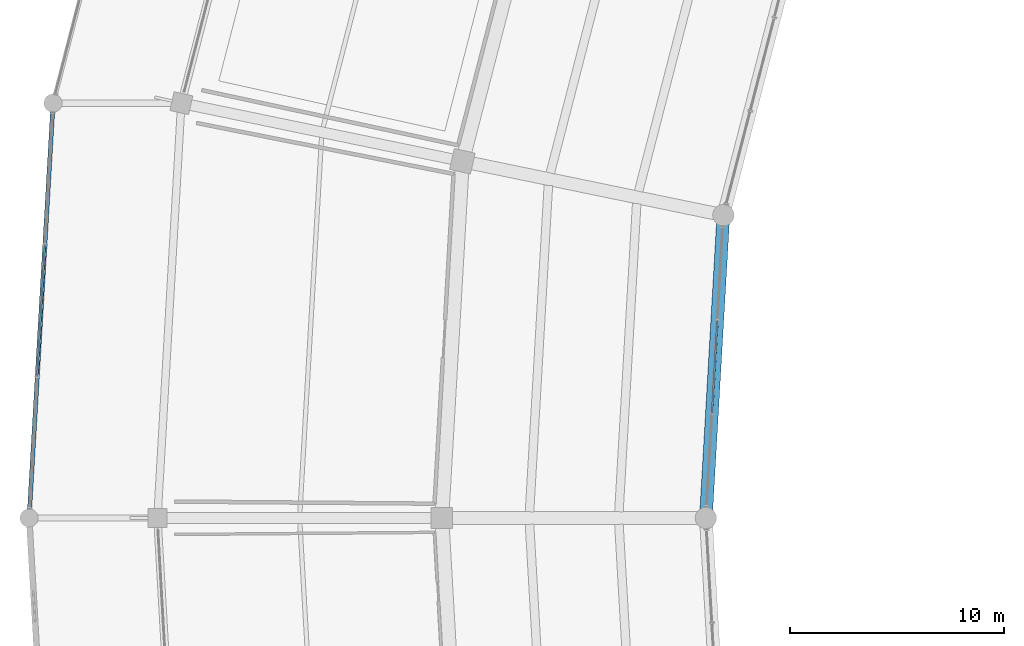
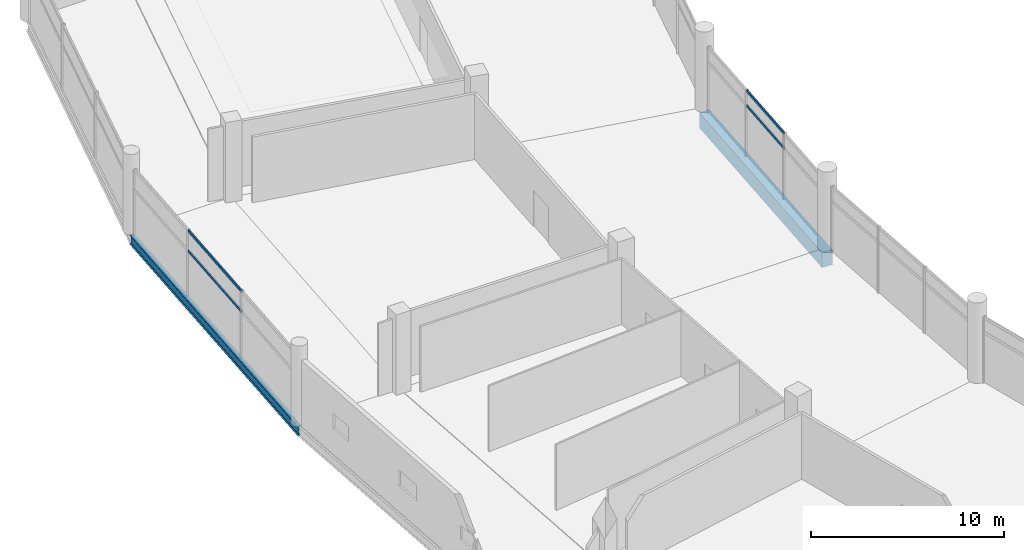
# One storey, part 45 of 184: 4 members, 2 beams, 2 elements without a shape of their own.
"""IFC4 building model written with IfcOpenShell, lengths in metres."""

from ifc_helpers import new_model, si_unit, direction, frame, origin, origin_2d, place, context, subcontext, project, spatial, rectangle, hollow_rectangle, i_section, extrude, material, layer, layer_set, material_profile, profile_set, type_object, element, aggregate, save


model = new_model("IFC4")

# Units and contexts
model_context = context("Model", 3, precision=1e-05, world=origin(), true_north=direction((0.0, 1.0)))
body_context = subcontext(model_context, "Body", "Model", "MODEL_VIEW")
ifc_project = project(units=[si_unit("LENGTHUNIT", "METRE"), si_unit("AREAUNIT", "SQUARE_METRE"), si_unit("VOLUMEUNIT", "CUBIC_METRE"), si_unit("PLANEANGLEUNIT", "RADIAN"), si_unit("MASSUNIT", "GRAM", prefix="KILO")], contexts=[model_context])

# Site, building, storey
site_placement = place(None, origin())
site = spatial("IfcSite", under=ifc_project, at=site_placement, CompositionType="ELEMENT")
building_placement = place(site_placement, origin())
building = spatial("IfcBuilding", under=site, at=building_placement, Name="Kazemori Nagisa Stadium", CompositionType="ELEMENT")
storey_placement = place(building_placement, frame((0.0, 0.0, 10.5400390625)))
storey = spatial("IfcBuildingStorey", under=building, at=storey_placement, Name="L02", CompositionType="ELEMENT", Elevation=10.5400390625)

# Beams
ifc_material_1 = material(Name="Concrete C40/50 (Fc42)", Category="concrete")
ifc_material_profile_1 = material_profile(ifc_material_1, rectangle(XDim=0.60009765625, YDim=0.949951171875, at=origin_2d()), Name="RC-BM-600x950")
ifc_profile_set_1 = profile_set([ifc_material_profile_1], Name="Concrete C40/50 (Fc42)")
beam_type_1 = type_object("IfcBeamType", Name="Beam_BG-RC600X950", PredefinedType="BEAM", material=ifc_profile_set_1)
beam_1_placement = place(storey_placement, frame((54.467041015625, 116.160400390625, -0.735107421875), z_axis=(-0.057610061423, -0.998339161219, 0.0), x_axis=(0.998339161219, -0.057610061423, 0.0)))
element("IfcBeam", 1, at=beam_1_placement, inside=storey, type_object=beam_type_1, Name="Ring girder BG-RC600X950 L02 R1-14", PredefinedType="BEAM", context=body_context, shape_type="SweptSolid", body=[
    extrude(rectangle(XDim=0.60009765625, YDim=0.949951171875, at=origin_2d()), origin(), (0.0, 0.0, 1.0), 14.183837890625),
])
ifc_material_2 = material(Name="Steel SN490B", Category="steel")
ifc_material_profile_2 = material_profile(ifc_material_2, i_section(OverallWidth=0.199951171875, OverallDepth=0.60009765625, WebThickness=0.010986328125, FlangeThickness=0.01708984375, FilletRadius=0.012939453125, at=origin_2d()), Name="H-600x200x11x17")
ifc_profile_set_2 = profile_set([ifc_material_profile_2], Name="Steel SN490B")
beam_type_2 = type_object("IfcBeamType", Name="Beam_BS-H600", PredefinedType="SPANDREL", material=ifc_profile_set_2)
beam_2_placement = place(storey_placement, frame((23.119140625, 121.397705078125, -0.553955078125), z_axis=(-0.057598702622, -0.998339816624, 0.0), x_axis=(0.998339816624, -0.057598702622, 0.0)))
element("IfcBeam", 2, at=beam_2_placement, inside=storey, type_object=beam_type_2, Name="Boulevard edge beam BS-H600 L02 R4-14", PredefinedType="SPANDREL", context=body_context, shape_type="SweptSolid", body=[
    extrude(i_section(OverallWidth=0.199951171875, OverallDepth=0.60009765625, WebThickness=0.010986328125, FlangeThickness=0.01708984375, FilletRadius=0.012939453125, at=origin_2d()), origin(), (0.0, 0.0, 1.0), 19.429931640625),
])

# Curtain wall, members
ifc_material_3 = material(Name="Anodised aluminium 6063-T5", Category="aluminium")
ifc_layer_1 = layer(ifc_material_3, 0.2099609375, Name="Anodised aluminium 6063-T5", Category="aluminium")
ifc_layer_set_1 = layer_set([ifc_layer_1], Name="Anodised aluminium 6063-T5")
curtain_wall_type_1 = type_object("IfcCurtainWallType", Name="CW_L02R3_93", PredefinedType="USERDEFINED", material=ifc_layer_set_1)
curtain_wall_1_placement = place(storey_placement, origin())
curtain_wall_1 = element("IfcCurtainWall", 3, at=curtain_wall_1_placement, inside=storey, type_object=curtain_wall_type_1, Name="Unitised curtain wall CW-L02R3-93 L02", ObjectType="UNITISED CURTAIN WALL", PredefinedType="USERDEFINED")
ifc_material_4 = material(Name="Aluminium 6063-T5 anodised", Category="aluminium")
ifc_material_profile_3 = material_profile(ifc_material_4, hollow_rectangle(XDim=0.080078125, YDim=0.159912109375, WallThickness=0.00390625, at=origin_2d()), Name="ALU-TRAN-80x160x4")
ifc_profile_set_3 = profile_set([ifc_material_profile_3], Name="Aluminium 6063-T5 anodised")
member_type = type_object("IfcMemberType", Name="Transom_T02", PredefinedType="USERDEFINED", material=ifc_profile_set_3)
member_1_placement = place(storey_placement, frame((22.736328125, 114.763671875, 2.84912109375), z_axis=(-0.057577481459, -0.998341040742, 0.0), x_axis=(0.998341040742, -0.057577481459, 0.0)))
member_1 = element("IfcMember", 4, at=member_1_placement, type_object=member_type, Name="Curtain wall transom CW-L02R3-93-T2-mid", ObjectType="TRANSOM", PredefinedType="USERDEFINED", context=body_context, shape_type="SweptSolid", body=[
    extrude(hollow_rectangle(XDim=0.080078125, YDim=0.159912109375, WallThickness=0.00390625, at=origin_2d()), origin(), (0.0, 0.0, 1.0), 6.139892578125),
])
member_2_placement = place(storey_placement, frame((22.736328125, 114.763671875, 4.119873046875), z_axis=(-0.057577481459, -0.998341040742, 0.0), x_axis=(0.998341040742, -0.057577481459, 0.0)))
member_2 = element("IfcMember", 5, at=member_2_placement, type_object=member_type, Name="Curtain wall transom CW-L02R3-93-T2-head", ObjectType="TRANSOM", PredefinedType="USERDEFINED", context=body_context, shape_type="SweptSolid", body=[
    extrude(hollow_rectangle(XDim=0.080078125, YDim=0.159912109375, WallThickness=0.00390625, at=origin_2d()), origin(), (0.0, 0.0, 1.0), 6.139892578125),
])
aggregate(curtain_wall_1, [member_1, member_2])

ifc_layer_2 = layer(ifc_material_3, 0.2099609375, Name="Anodised aluminium 6063-T5", Category="aluminium")
ifc_layer_set_2 = layer_set([ifc_layer_2], Name="Anodised aluminium 6063-T5")
curtain_wall_type_2 = type_object("IfcCurtainWallType", Name="CW_L02B_66", PredefinedType="USERDEFINED", material=ifc_layer_set_2)
curtain_wall_2_placement = place(storey_placement, origin())
curtain_wall_2 = element("IfcCurtainWall", 6, at=curtain_wall_2_placement, inside=storey, type_object=curtain_wall_type_2, Name="Unitised curtain wall CW-L02B-66 L02", ObjectType="UNITISED CURTAIN WALL", PredefinedType="USERDEFINED")
member_3_placement = place(storey_placement, frame((54.183349609375, 111.2421875, 3.184326171875), z_axis=(-0.057608419603, -0.99833925596, 0.0), x_axis=(0.99833925596, -0.057608419603, 0.0)))
member_3 = element("IfcMember", 7, at=member_3_placement, type_object=member_type, Name="Curtain wall transom CW-L02B-66-T2-mid", ObjectType="TRANSOM", PredefinedType="USERDEFINED", context=body_context, shape_type="SweptSolid", body=[
    extrude(hollow_rectangle(XDim=0.080078125, YDim=0.159912109375, WallThickness=0.00390625, at=origin_2d()), origin(), (0.0, 0.0, 1.0), 4.3310546875),
])
member_4_placement = place(storey_placement, frame((54.183349609375, 111.2421875, 4.119873046875), z_axis=(-0.057608419603, -0.99833925596, 0.0), x_axis=(0.99833925596, -0.057608419603, 0.0)))
member_4 = element("IfcMember", 8, at=member_4_placement, type_object=member_type, Name="Curtain wall transom CW-L02B-66-T2-head", ObjectType="TRANSOM", PredefinedType="USERDEFINED", context=body_context, shape_type="SweptSolid", body=[
    extrude(hollow_rectangle(XDim=0.080078125, YDim=0.159912109375, WallThickness=0.00390625, at=origin_2d()), origin(), (0.0, 0.0, 1.0), 4.3310546875),
])
aggregate(curtain_wall_2, [member_3, member_4])

save(model, "model.ifc")
